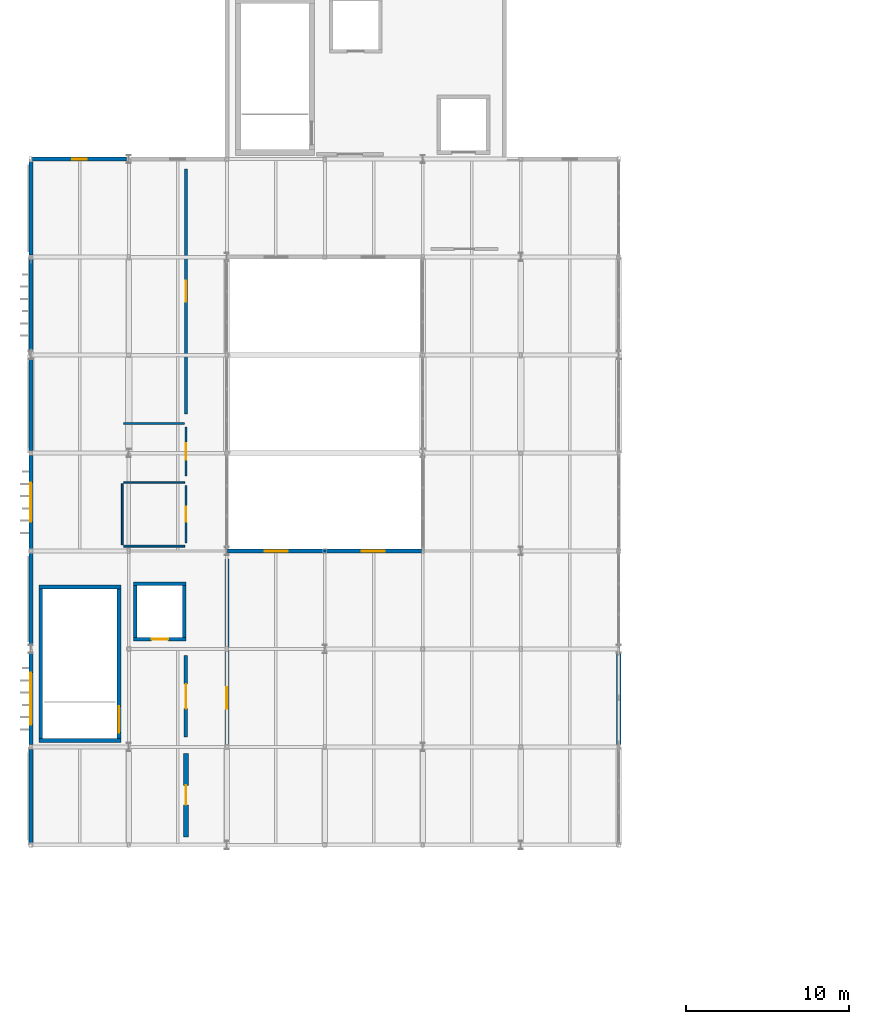
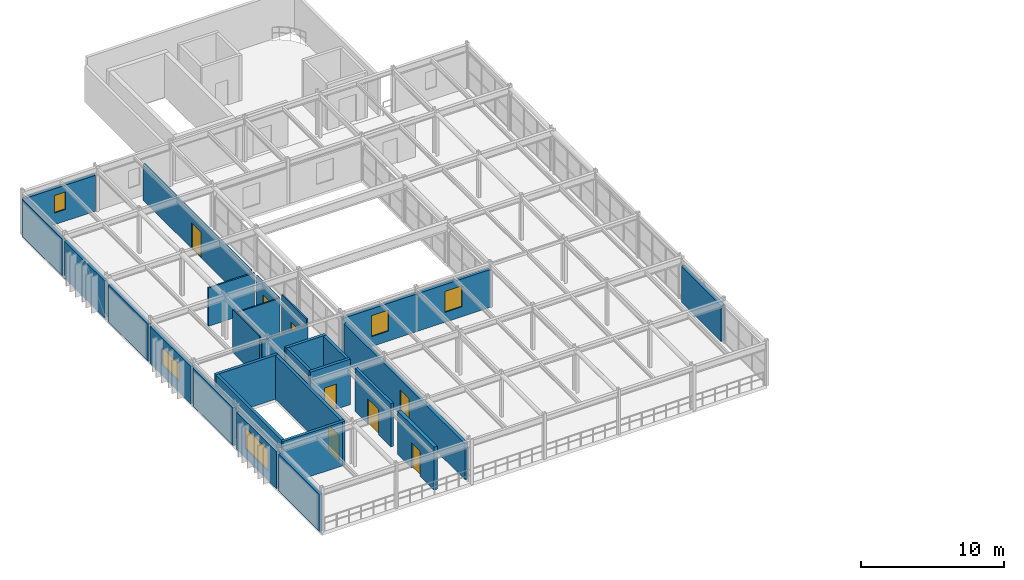
# One storey, part 47 of 63: 29 walls, 8 doors, 5 windows, 13 openings.
"""IFC4 building model written with IfcOpenShell, lengths in metres."""

import ifcopenshell
import ifcopenshell.guid

model = None  # the IFC model being written
_history = None  # IfcOwnerHistory: only IFC2X3 demands one
_inside = {}  # id of a spatial element -> (the spatial element, [elements in it])
_under = {}  # id of a project, library or spatial element -> (it, [spatial elements below it])
_declared = {}  # id of a project -> (the project, [libraries it declares])
_typed = {}  # id of a type object -> (the type object, [elements of that type])
_made_of = {}  # id of a material, layer set ... -> (it, [elements and type objects made of it])


def new_model(schema):
    """Start an empty IFC model of exactly this schema.

    Asked for "IFC4X3", IfcOpenShell would pick the latest addendum, in which some entities
    have other attributes; the version numbers below select the first issue.
    IFC2X3 requires an IfcOwnerHistory on every rooted entity: one is made here for all.
    """
    global model, _history
    if schema == "IFC4X3":
        model = ifcopenshell.file(schema_version=(4, 3, 0, 0))
    else:
        model = ifcopenshell.file(schema=schema)
    _inside.clear()
    _under.clear()
    _declared.clear()
    _typed.clear()
    _made_of.clear()
    _history = None
    if model.schema == "IFC2X3":
        org = make("IfcOrganization", Name="unknown")
        user = make(
            "IfcPersonAndOrganization",
            ThePerson=make("IfcPerson", FamilyName="unknown"),
            TheOrganization=org,
        )
        app = make(
            "IfcApplication",
            ApplicationDeveloper=org,
            Version="unknown",
            ApplicationFullName="unknown",
            ApplicationIdentifier="unknown",
        )
        _history = make(
            "IfcOwnerHistory",
            OwningUser=user,
            OwningApplication=app,
            ChangeAction="ADDED",
            CreationDate=0,
        )
    return model


def make(cls, **values):
    """One entity of the class cls with the attributes given. An attribute that is None is left unset."""
    return model.create_entity(
        cls, **{name: value for name, value in values.items() if value is not None}
    )


def rooted(cls, **values):
    """An entity with a GlobalId (a new one), such as an element, a storey or a relation."""
    return make(cls, GlobalId=ifcopenshell.guid.new(), OwnerHistory=_history, **values)


def si_unit(unit_type, name, prefix=None):
    """IfcSIUnit, for example si_unit("LENGTHUNIT", "METRE", prefix="MILLI")."""
    return make("IfcSIUnit", UnitType=unit_type, Prefix=prefix, Name=name)


def assignment(units):
    """IfcUnitAssignment: the units of a project."""
    return None if units is None else make("IfcUnitAssignment", Units=units)


def point(xyz):
    """IfcCartesianPoint."""
    return None if xyz is None else make("IfcCartesianPoint", Coordinates=xyz)


def direction(xyz):
    """IfcDirection."""
    return None if xyz is None else make("IfcDirection", DirectionRatios=xyz)


def frame(location, z_axis=None, x_axis=None):
    """IfcAxis2Placement3D, a coordinate frame: its origin and axes. An axis left out is left unset."""
    return make(
        "IfcAxis2Placement3D",
        Location=point(location),
        Axis=direction(z_axis),
        RefDirection=direction(x_axis),
    )


def frame_2d(location, x_axis=None):
    """IfcAxis2Placement2D, a coordinate frame in the plane: its origin and x axis."""
    return make(
        "IfcAxis2Placement2D", Location=point(location), RefDirection=direction(x_axis)
    )


def origin():
    """The frame at (0, 0, 0) with its axes left unset."""
    return frame((0.0, 0.0, 0.0))


def place(relative_to, where):
    """IfcLocalPlacement: puts the frame where relative to a parent placement (None: the world)."""
    return make(
        "IfcLocalPlacement", PlacementRelTo=relative_to, RelativePlacement=where
    )


def context(
    kind, dimensions, precision=None, world=None, true_north=None, identifier=None
):
    """IfcGeometricRepresentationContext, for example the 3D "Model" context."""
    return make(
        "IfcGeometricRepresentationContext",
        ContextIdentifier=identifier,
        ContextType=kind,
        CoordinateSpaceDimension=dimensions,
        Precision=precision,
        WorldCoordinateSystem=world,
        TrueNorth=true_north,
    )


def subcontext(parent, identifier, kind, view, scale=None):
    """IfcGeometricRepresentationSubContext, for example "Body" below "Model"."""
    return make(
        "IfcGeometricRepresentationSubContext",
        ContextIdentifier=identifier,
        ContextType=kind,
        ParentContext=parent,
        TargetScale=scale,
        TargetView=view,
    )


def project(units=None, contexts=None):
    """IfcProject with its units and contexts."""
    return rooted(
        "IfcProject",
        Name="project",
        RepresentationContexts=contexts,
        UnitsInContext=assignment(units),
    )


def spatial(cls, under=None, at=None, **own):
    """A site, building, storey or space (cls), placed at a placement, below another one or the project."""
    s = rooted(cls, ObjectPlacement=at, **own)
    if under is not None:
        _under.setdefault(under.id(), (under, []))[1].append(s)
    return s


def profile(cls, at=None, kind="AREA", **sizes):
    """A parametric profile (cls). Its sizes go by their IFC names, for example OverallWidth=200.0."""
    return make(cls, ProfileType=kind, Position=at, **sizes)


def rectangle(**sizes):
    """IfcRectangleProfileDef."""
    return profile("IfcRectangleProfileDef", **sizes)


def extrude(swept, where, along, depth):
    """IfcExtrudedAreaSolid: the profile swept, set in the frame where, extruded along a direction by depth."""
    return make(
        "IfcExtrudedAreaSolid",
        SweptArea=swept,
        Position=where,
        ExtrudedDirection=direction(along),
        Depth=depth,
    )


def shape(context_of_items, identifier, shape_type, items):
    """IfcShapeRepresentation: the items that make up one representation, for example the "Body"."""
    return make(
        "IfcShapeRepresentation",
        ContextOfItems=context_of_items,
        RepresentationIdentifier=identifier,
        RepresentationType=shape_type,
        Items=items,
    )


def material(Name=None, Category=None):
    """IfcMaterial."""
    return make("IfcMaterial", Name=Name, Category=Category)


def layer(
    of_material, thickness, ventilated=None, Name=None, Category=None, Priority=None
):
    """IfcMaterialLayer: one layer of a wall or slab, of a material (None: an air gap)."""
    return make(
        "IfcMaterialLayer",
        Material=of_material,
        LayerThickness=thickness,
        IsVentilated=ventilated,
        Name=Name,
        Category=Category,
        Priority=Priority,
    )


def layer_set(layers, Name=None):
    """IfcMaterialLayerSet."""
    return make("IfcMaterialLayerSet", MaterialLayers=layers, LayerSetName=Name)


def made_of(thing, what):
    """Note that an element or type object is made of a material, layer set ...; save() writes the relation."""
    if what is not None:
        _made_of.setdefault(what.id(), (what, []))[1].append(thing)
    return thing


def type_object(cls, material=None, **own):
    """A type object (cls), such as IfcWallType, which elements share."""
    return made_of(rooted(cls, **own), material)


def element(
    cls,
    number,
    at=None,
    inside=None,
    cuts=None,
    type_object=None,
    material=None,
    context=None,
    identifier="Body",
    shape_type=None,
    held_by="IfcProductDefinitionShape",
    body=None,
    shapes=None,
    **own,
):
    """One element of the class cls, such as IfcWall. Its Tag is "e" and its number.

    at: its placement. inside: the storey or other place that contains it. cuts: it is an
    opening in that element (IfcRelVoidsElement). A single representation is given by context,
    identifier, shape_type and body (its items); several are given by shapes. held_by: the class
    of the entity that holds the representations. save() writes the other relations.
    """
    e = rooted(cls, Tag="e%d" % number, ObjectPlacement=at, **own)
    if body is not None:
        shapes = [shape(context, identifier, shape_type, body)]
    if shapes is not None:
        e.Representation = make(held_by, Representations=shapes)
    if inside is not None:
        _inside.setdefault(inside.id(), (inside, []))[1].append(e)
    if cuts is not None:
        rooted(
            "IfcRelVoidsElement", RelatingBuildingElement=cuts, RelatedOpeningElement=e
        )
    if type_object is not None:
        _typed.setdefault(type_object.id(), (type_object, []))[1].append(e)
    return made_of(e, material)


def fill(opening, filler):
    """IfcRelFillsElement: the door or window that sits in an opening."""
    return rooted(
        "IfcRelFillsElement",
        RelatingOpeningElement=opening,
        RelatedBuildingElement=filler,
    )


def aggregate(whole, parts):
    """IfcRelAggregates: a whole, such as a stair, and the parts it consists of."""
    return rooted("IfcRelAggregates", RelatingObject=whole, RelatedObjects=parts)


def save(model, path):
    """Write the relations noted so far, then the file.

    IfcRelAggregates (storeys below a building ...), IfcRelContainedInSpatialStructure (elements
    in a storey), IfcRelDefinesByType, IfcRelAssociatesMaterial and IfcRelDeclares: one each for
    every whole, place, type object, material and project.
    """
    for whole, parts in _under.values():
        aggregate(whole, parts)
    for where, things in _inside.values():
        rooted(
            "IfcRelContainedInSpatialStructure",
            RelatedElements=things,
            RelatingStructure=where,
        )
    for kind, things in _typed.values():
        rooted("IfcRelDefinesByType", RelatedObjects=things, RelatingType=kind)
    for what, things in _made_of.values():
        rooted("IfcRelAssociatesMaterial", RelatedObjects=things, RelatingMaterial=what)
    for by, libraries in _declared.values():
        rooted("IfcRelDeclares", RelatingContext=by, RelatedDefinitions=libraries)
    model.write(path)


model = new_model("IFC4")

# Units and contexts
model_context = context("Model", 3, precision=1e-05, world=origin(), true_north=direction((0.0, 1.0)))
body_context = subcontext(model_context, "Body", "Model", "MODEL_VIEW")
ifc_project = project(units=[si_unit("LENGTHUNIT", "METRE"), si_unit("AREAUNIT", "SQUARE_METRE"), si_unit("VOLUMEUNIT", "CUBIC_METRE"), si_unit("PLANEANGLEUNIT", "RADIAN"), si_unit("MASSUNIT", "GRAM", prefix="KILO")], contexts=[model_context])

# Site, building, storey
site_placement = place(None, origin())
site = spatial("IfcSite", under=ifc_project, at=site_placement, CompositionType="ELEMENT")
building_placement = place(site_placement, origin())
building = spatial("IfcBuilding", under=site, at=building_placement, Name="Varnakota Square Police Headquarters", CompositionType="ELEMENT")
storey_placement = place(building_placement, frame((0.0, 0.0, 22.199951171875)))
storey = spatial("IfcBuildingStorey", under=building, at=storey_placement, Name="L05", CompositionType="ELEMENT", Elevation=22.199951171875)

# Wall
ifc_material_1 = material(Name="Concrete M40", Category="concrete")
ifc_layer_1 = layer(ifc_material_1, 0.22998046875, Name="Concrete M40")
ifc_layer_set_1 = layer_set([ifc_layer_1], Name="Concrete M40")
wall_type_1 = type_object("IfcWallType", Name="WL-CORE-230", PredefinedType="SHEAR", material=ifc_layer_set_1)
wall_1_placement = place(storey_placement, frame((6.485107421875, 27.39990234375, 0.0), z_axis=(0.0, 0.0, 1.0), x_axis=(1.0, 0.0, 0.0)))
element("IfcWall", 1, at=wall_1_placement, inside=storey, type_object=wall_type_1, Name="Core C4 shear wall L05 S", PredefinedType="SHEAR", context=body_context, shape_type="SweptSolid", body=[
    extrude(rectangle(XDim=5.02978515625, YDim=0.22998046875, at=frame_2d((2.514892578125, 0.0))), origin(), (0.0, 0.0, 1.0), 3.760009765625),
])

# Wall, opening, door
wall_2_placement = place(storey_placement, frame((11.39990234375, 27.284912109375, 0.0), z_axis=(0.0, 0.0, 1.0), x_axis=(0.0, 1.0, 0.0)))
wall_2 = element("IfcWall", 2, at=wall_2_placement, inside=storey, type_object=wall_type_1, Name="Core C4 shear wall L05 E", PredefinedType="SHEAR", context=body_context, shape_type="SweptSolid", body=[
    extrude(rectangle(XDim=9.630126953125, YDim=0.22998046875, at=frame_2d((4.81494140625, 0.0))), origin(), (0.0, 0.0, 1.0), 3.760009765625),
])
opening_1_placement = place(wall_2_placement, frame((0.594970703125, 0.0, 0.0)))
opening_1 = element("IfcOpeningElement", 3, at=opening_1_placement, cuts=wall_2, Name="Opening SD070", PredefinedType="OPENING", context=body_context, shape_type="SweptSolid", body=[
    extrude(rectangle(XDim=1.60009765625, YDim=2.199951171875, at=frame_2d((0.800048828125, 1.10009765625))), frame((0.0, 0.125, 0.0), z_axis=(0.0, -1.0, 0.0), x_axis=(1.0, 0.0, 0.0)), (0.0, 0.0, 1.0), 0.25),
])
ifc_material_2 = material(Name="Powder-Coated Galvanised Steel", Category="steel")
door_type_1 = type_object("IfcDoorType", Name="DR-ST-160", OperationType="NOTDEFINED", PredefinedType="DOOR", material=ifc_material_2)
door_1_placement = place(opening_1_placement, origin())
door_1 = element("IfcDoor", 4, at=door_1_placement, inside=storey, type_object=door_type_1, Name="Protected stair door SD070", OperationType="DOUBLE_DOOR_SINGLE_SWING", OverallHeight=2.199951171875, OverallWidth=1.60009765625, PredefinedType="DOOR", context=body_context, shape_type="SweptSolid", body=[
    extrude(rectangle(XDim=1.60009765625, YDim=2.199951171875, at=frame_2d((0.800048828125, 1.10009765625))), frame((0.0, 0.02490234375, 0.0), z_axis=(0.0, -1.0, 0.0), x_axis=(1.0, 0.0, 0.0)), (0.0, 0.0, 1.0), 0.050048828125),
])
fill(opening_1, door_1)

# Walls
wall_3_placement = place(storey_placement, frame((11.514892578125, 36.800048828125, 0.0), z_axis=(0.0, 0.0, 1.0), x_axis=(-1.0, 0.0, 0.0)))
element("IfcWall", 5, at=wall_3_placement, inside=storey, type_object=wall_type_1, Name="Core C4 shear wall L05 N", PredefinedType="SHEAR", context=body_context, shape_type="SweptSolid", body=[
    extrude(rectangle(XDim=5.02978515625, YDim=0.22998046875, at=frame_2d((2.514892578125, 0.0))), origin(), (0.0, 0.0, 1.0), 3.760009765625),
])
wall_4_placement = place(storey_placement, frame((6.60009765625, 36.9150390625, 0.0), z_axis=(0.0, 0.0, 1.0), x_axis=(0.0, -1.0, 0.0)))
element("IfcWall", 6, at=wall_4_placement, inside=storey, type_object=wall_type_1, Name="Core C4 shear wall L05 W", PredefinedType="SHEAR", context=body_context, shape_type="SweptSolid", body=[
    extrude(rectangle(XDim=9.630126953125, YDim=0.22998046875, at=frame_2d((4.81494140625, 0.0))), origin(), (0.0, 0.0, 1.0), 3.760009765625),
])

# Wall, opening, door
wall_5_placement = place(storey_placement, frame((12.284912109375, 33.60009765625, 0.0), z_axis=(0.0, 0.0, 1.0), x_axis=(1.0, 0.0, 0.0)))
wall_5 = element("IfcWall", 7, at=wall_5_placement, inside=storey, type_object=wall_type_1, Name="Lift shaft wall LF-P2 L05 S", PredefinedType="SHEAR", context=body_context, shape_type="SweptSolid", body=[
    extrude(rectangle(XDim=3.22998046875, YDim=0.22998046875, at=frame_2d((1.614990234375, 0.0))), origin(), (0.0, 0.0, 1.0), 3.900146484375),
])
opening_2_placement = place(wall_5_placement, frame((1.114990234375, 0.0, 0.0)))
opening_2 = element("IfcOpeningElement", 8, at=opening_2_placement, cuts=wall_5, Name="Opening LD030", PredefinedType="OPENING", context=body_context, shape_type="SweptSolid", body=[
    extrude(rectangle(XDim=1.0, YDim=2.14990234375, at=frame_2d((0.5, 1.074951171875))), frame((0.0, 0.125, 0.0), z_axis=(0.0, -1.0, 0.0), x_axis=(1.0, 0.0, 0.0)), (0.0, 0.0, 1.0), 0.25),
])
ifc_material_3 = material(Name="Brushed Grade 316 Stainless Steel", Category="steel")
door_type_2 = type_object("IfcDoorType", Name="DR-LD-PAX", OperationType="NOTDEFINED", PredefinedType="DOOR", material=ifc_material_3)
door_2_placement = place(opening_2_placement, origin())
door_2 = element("IfcDoor", 9, at=door_2_placement, inside=storey, type_object=door_type_2, Name="Lift sliding landing door LD030", OperationType="SLIDING_TO_LEFT", OverallHeight=2.14990234375, OverallWidth=1.0, PredefinedType="DOOR", context=body_context, shape_type="SweptSolid", body=[
    extrude(rectangle(XDim=1.0, YDim=2.14990234375, at=frame_2d((0.5, 1.074951171875))), frame((0.0, 0.02490234375, 0.0), z_axis=(0.0, -1.0, 0.0), x_axis=(1.0, 0.0, 0.0)), (0.0, 0.0, 1.0), 0.050048828125),
])
fill(opening_2, door_2)

# Walls
wall_6_placement = place(storey_placement, frame((15.39990234375, 33.485107421875, 0.0), z_axis=(0.0, 0.0, 1.0), x_axis=(0.0, 1.0, 0.0)))
element("IfcWall", 10, at=wall_6_placement, inside=storey, type_object=wall_type_1, Name="Lift shaft wall LF-P2 L05 E", PredefinedType="SHEAR", context=body_context, shape_type="SweptSolid", body=[
    extrude(rectangle(XDim=3.6298828125, YDim=0.22998046875, at=frame_2d((1.81494140625, 0.0))), origin(), (0.0, 0.0, 1.0), 3.900146484375),
])
wall_7_placement = place(storey_placement, frame((15.514892578125, 37.0, 0.0), z_axis=(0.0, 0.0, 1.0), x_axis=(-1.0, 0.0, 0.0)))
element("IfcWall", 11, at=wall_7_placement, inside=storey, type_object=wall_type_1, Name="Lift shaft wall LF-P2 L05 N", PredefinedType="SHEAR", context=body_context, shape_type="SweptSolid", body=[
    extrude(rectangle(XDim=3.22998046875, YDim=0.22998046875, at=frame_2d((1.614990234375, 0.0))), origin(), (0.0, 0.0, 1.0), 3.900146484375),
])
wall_8_placement = place(storey_placement, frame((12.39990234375, 37.114990234375, 0.0), z_axis=(0.0, 0.0, 1.0), x_axis=(0.0, -1.0, 0.0)))
element("IfcWall", 12, at=wall_8_placement, inside=storey, type_object=wall_type_1, Name="Lift shaft wall LF-P2 L05 W", PredefinedType="SHEAR", context=body_context, shape_type="SweptSolid", body=[
    extrude(rectangle(XDim=3.6298828125, YDim=0.22998046875, at=frame_2d((1.81494140625, 0.0))), origin(), (0.0, 0.0, 1.0), 3.900146484375),
])
ifc_layer_2 = layer(ifc_material_1, 0.239990234375, Name="Concrete M40")
ifc_layer_set_2 = layer_set([ifc_layer_2], Name="Concrete M40")
wall_type_2 = type_object("IfcWallType", Name="WL-EXT-240", PredefinedType="SOLIDWALL", material=ifc_layer_set_2)
wall_9_placement = place(storey_placement, frame((6.0, 21.12890625, 0.0), z_axis=(0.0, 0.0, 1.0), x_axis=(0.0, 1.0, 0.0)))
element("IfcWall", 13, at=wall_9_placement, inside=storey, type_object=wall_type_2, Name="Exterior wall EW-L05-0455", PredefinedType="SOLIDWALL", context=body_context, shape_type="SweptSolid", body=[
    extrude(rectangle(XDim=5.717041015625, YDim=0.239990234375, at=frame_2d((2.8583984375, 0.0))), origin(), (0.0, 0.0, 1.0), 3.179931640625),
])

# Wall, opening, window
wall_10_placement = place(storey_placement, frame((6.0, 27.154052734375, 0.0), z_axis=(0.0, 0.0, 1.0), x_axis=(0.0, 1.0, 0.0)))
wall_10 = element("IfcWall", 14, at=wall_10_placement, inside=storey, type_object=wall_type_2, Name="Exterior wall EW-L05-0456", PredefinedType="SOLIDWALL", context=body_context, shape_type="SweptSolid", body=[
    extrude(rectangle(XDim=5.592041015625, YDim=0.239990234375, at=frame_2d((2.7958984375, 0.0))), origin(), (0.0, 0.0, 1.0), 3.179931640625),
])
opening_3_placement = place(wall_10_placement, frame((1.196044921875, 0.0, 0.800048828125)))
opening_3 = element("IfcOpeningElement", 15, at=opening_3_placement, cuts=wall_10, Name="Opening W15", PredefinedType="OPENING", context=body_context, shape_type="SweptSolid", body=[
    extrude(rectangle(XDim=3.199951171875, YDim=1.800048828125, at=frame_2d((1.60009765625, 0.89990234375))), frame((0.0, 0.1298828125, 0.0), z_axis=(0.0, -1.0, 0.0), x_axis=(1.0, 0.0, 0.0)), (0.0, 0.0, 1.0), 0.260009765625),
])
ifc_material_4 = material(Name="Thermally Broken Aluminium Double-Glazed Window", Category="aluminium")
window_type_1 = type_object("IfcWindowType", Name="WIN-15", PartitioningType="SINGLE_PANEL", PredefinedType="WINDOW", material=ifc_material_4)
window_1_placement = place(opening_3_placement, origin())
window_1 = element("IfcWindow", 16, at=window_1_placement, inside=storey, type_object=window_type_1, Name="Window WN-L05-0106", OverallHeight=1.800048828125, OverallWidth=3.199951171875, PartitioningType="SINGLE_PANEL", PredefinedType="WINDOW", context=body_context, shape_type="SweptSolid", body=[
    extrude(rectangle(XDim=3.199951171875, YDim=1.800048828125, at=frame_2d((1.60009765625, 0.89990234375))), frame((0.0, 0.030029296875, 0.0), z_axis=(0.0, -1.0, 0.0), x_axis=(1.0, 0.0, 0.0)), (0.0, 0.0, 1.0), 0.06005859375),
])
fill(opening_3, window_1)

# Wall
wall_11_placement = place(storey_placement, frame((6.0, 33.25390625, 0.0), z_axis=(0.0, 0.0, 1.0), x_axis=(0.0, 1.0, 0.0)))
element("IfcWall", 17, at=wall_11_placement, inside=storey, type_object=wall_type_2, Name="Exterior wall EW-L05-0458", PredefinedType="SOLIDWALL", context=body_context, shape_type="SweptSolid", body=[
    extrude(rectangle(XDim=5.6171875, YDim=0.239990234375, at=frame_2d((2.80859375, 0.0))), origin(), (0.0, 0.0, 1.0), 3.22998046875),
])

# Wall, opening, window
wall_12_placement = place(storey_placement, frame((6.0, 39.12890625, 0.0), z_axis=(0.0, 0.0, 1.0), x_axis=(0.0, 1.0, 0.0)))
wall_12 = element("IfcWall", 18, at=wall_12_placement, inside=storey, type_object=wall_type_2, Name="Exterior wall EW-L05-0459", PredefinedType="SOLIDWALL", context=body_context, shape_type="SweptSolid", body=[
    extrude(rectangle(XDim=5.717041015625, YDim=0.239990234375, at=frame_2d((2.8583984375, 0.0))), origin(), (0.0, 0.0, 1.0), 3.179931640625),
])
opening_4_placement = place(wall_12_placement, frame((1.658447265625, 0.0, 0.89990234375)))
opening_4 = element("IfcOpeningElement", 19, at=opening_4_placement, cuts=wall_12, Name="Opening W02", PredefinedType="OPENING", context=body_context, shape_type="SweptSolid", body=[
    extrude(rectangle(XDim=2.39990234375, YDim=1.5, at=frame_2d((1.199951171875, 0.75))), frame((0.0, 0.1298828125, 0.0), z_axis=(0.0, -1.0, 0.0), x_axis=(1.0, 0.0, 0.0)), (0.0, 0.0, 1.0), 0.260009765625),
])
window_type_2 = type_object("IfcWindowType", Name="WIN-02", PartitioningType="SINGLE_PANEL", PredefinedType="WINDOW", material=ifc_material_4)
window_2_placement = place(opening_4_placement, origin())
window_2 = element("IfcWindow", 20, at=window_2_placement, inside=storey, type_object=window_type_2, Name="Window WN-L05-0107", OverallHeight=1.5, OverallWidth=2.39990234375, PartitioningType="SINGLE_PANEL", PredefinedType="WINDOW", context=body_context, shape_type="SweptSolid", body=[
    extrude(rectangle(XDim=2.39990234375, YDim=1.5, at=frame_2d((1.199951171875, 0.75))), frame((0.0, 0.030029296875, 0.0), z_axis=(0.0, -1.0, 0.0), x_axis=(1.0, 0.0, 0.0)), (0.0, 0.0, 1.0), 0.06005859375),
])
fill(opening_4, window_2)

# Walls
wall_13_placement = place(storey_placement, frame((6.0, 45.154052734375, 0.0), z_axis=(0.0, 0.0, 1.0), x_axis=(0.0, 1.0, 0.0)))
element("IfcWall", 21, at=wall_13_placement, inside=storey, type_object=wall_type_2, Name="Exterior wall EW-L05-0460", PredefinedType="SOLIDWALL", context=body_context, shape_type="SweptSolid", body=[
    extrude(rectangle(XDim=5.592041015625, YDim=0.239990234375, at=frame_2d((2.7958984375, 0.0))), origin(), (0.0, 0.0, 1.0), 3.179931640625),
])
wall_14_placement = place(storey_placement, frame((6.0, 51.25390625, 0.0), z_axis=(0.0, 0.0, 1.0), x_axis=(0.0, 1.0, 0.0)))
element("IfcWall", 22, at=wall_14_placement, inside=storey, type_object=wall_type_2, Name="Exterior wall EW-L05-0461", PredefinedType="SOLIDWALL", context=body_context, shape_type="SweptSolid", body=[
    extrude(rectangle(XDim=5.6171875, YDim=0.239990234375, at=frame_2d((2.80859375, 0.0))), origin(), (0.0, 0.0, 1.0), 3.179931640625),
])
wall_15_placement = place(storey_placement, frame((6.0, 57.12890625, 0.0), z_axis=(0.0, 0.0, 1.0), x_axis=(0.0, 1.0, 0.0)))
element("IfcWall", 23, at=wall_15_placement, inside=storey, type_object=wall_type_2, Name="Exterior wall EW-L05-0462", PredefinedType="SOLIDWALL", context=body_context, shape_type="SweptSolid", body=[
    extrude(rectangle(XDim=5.717041015625, YDim=0.239990234375, at=frame_2d((2.8583984375, 0.0))), origin(), (0.0, 0.0, 1.0), 3.179931640625),
])

# Wall, opening, window
wall_16_placement = place(storey_placement, frame((6.10400390625, 63.0, 0.0), z_axis=(0.0, 0.0, 1.0), x_axis=(1.0, 0.0, 0.0)))
wall_16 = element("IfcWall", 24, at=wall_16_placement, inside=storey, type_object=wall_type_2, Name="Exterior wall EW-L05-0463", PredefinedType="SOLIDWALL", context=body_context, shape_type="SweptSolid", body=[
    extrude(rectangle(XDim=5.76708984375, YDim=0.239990234375, at=frame_2d((2.883544921875, 0.0))), origin(), (0.0, 0.0, 1.0), 3.080078125),
])
opening_5_placement = place(wall_16_placement, frame((2.43359375, 0.0, 1.0)))
opening_5 = element("IfcOpeningElement", 25, at=opening_5_placement, cuts=wall_16, Name="Opening W09", PredefinedType="OPENING", context=body_context, shape_type="SweptSolid", body=[
    extrude(rectangle(XDim=0.89990234375, YDim=1.5, at=frame_2d((0.449951171875, 0.75))), frame((0.0, 0.1298828125, 0.0), z_axis=(0.0, -1.0, 0.0), x_axis=(1.0, 0.0, 0.0)), (0.0, 0.0, 1.0), 0.260009765625),
])
window_type_3 = type_object("IfcWindowType", Name="WIN-09", PartitioningType="SINGLE_PANEL", PredefinedType="WINDOW", material=ifc_material_4)
window_3_placement = place(opening_5_placement, origin())
window_3 = element("IfcWindow", 26, at=window_3_placement, inside=storey, type_object=window_type_3, Name="Window WN-L05-0108", OverallHeight=1.5, OverallWidth=0.89990234375, PartitioningType="SINGLE_PANEL", PredefinedType="WINDOW", context=body_context, shape_type="SweptSolid", body=[
    extrude(rectangle(XDim=0.89990234375, YDim=1.5, at=frame_2d((0.449951171875, 0.75))), frame((0.0, 0.030029296875, 0.0), z_axis=(0.0, -1.0, 0.0), x_axis=(1.0, 0.0, 0.0)), (0.0, 0.0, 1.0), 0.06005859375),
])
fill(opening_5, window_3)

wall_17_placement = place(storey_placement, frame((18.050048828125, 39.0, 0.0), z_axis=(0.0, 0.0, 1.0), x_axis=(1.0, 0.0, 0.0)))
wall_17 = element("IfcWall", 27, at=wall_17_placement, inside=storey, type_object=wall_type_2, Name="Court exterior wall EW-L05-0466", PredefinedType="SOLIDWALL", context=body_context, shape_type="SweptSolid", body=[
    extrude(rectangle(XDim=5.949951171875, YDim=0.239990234375, at=frame_2d((2.97509765625, 0.0))), origin(), (0.0, 0.0, 1.0), 3.22998046875),
])
opening_6_placement = place(wall_17_placement, frame((2.27490234375, 0.0, 0.85009765625)))
opening_6 = element("IfcOpeningElement", 28, at=opening_6_placement, cuts=wall_17, Name="Opening W16", PredefinedType="OPENING", context=body_context, shape_type="SweptSolid", body=[
    extrude(rectangle(XDim=1.39990234375, YDim=1.800048828125, at=frame_2d((0.699951171875, 0.89990234375))), frame((0.0, 0.1298828125, 0.0), z_axis=(0.0, -1.0, 0.0), x_axis=(1.0, 0.0, 0.0)), (0.0, 0.0, 1.0), 0.260009765625),
])
window_type_4 = type_object("IfcWindowType", Name="WIN-16", PartitioningType="SINGLE_PANEL", PredefinedType="WINDOW", material=ifc_material_4)
window_4_placement = place(opening_6_placement, origin())
window_4 = element("IfcWindow", 29, at=window_4_placement, inside=storey, type_object=window_type_4, Name="Window WN-L05-0111", OverallHeight=1.800048828125, OverallWidth=1.39990234375, PartitioningType="SINGLE_PANEL", PredefinedType="WINDOW", context=body_context, shape_type="SweptSolid", body=[
    extrude(rectangle(XDim=1.39990234375, YDim=1.800048828125, at=frame_2d((0.699951171875, 0.89990234375))), frame((0.0, 0.030029296875, 0.0), z_axis=(0.0, -1.0, 0.0), x_axis=(1.0, 0.0, 0.0)), (0.0, 0.0, 1.0), 0.06005859375),
])
fill(opening_6, window_4)

wall_18_placement = place(storey_placement, frame((24.0, 39.0, 0.0), z_axis=(0.0, 0.0, 1.0), x_axis=(1.0, 0.0, 0.0)))
wall_18 = element("IfcWall", 30, at=wall_18_placement, inside=storey, type_object=wall_type_2, Name="Court exterior wall EW-L05-0468", PredefinedType="SOLIDWALL", context=body_context, shape_type="SweptSolid", body=[
    extrude(rectangle(XDim=5.949951171875, YDim=0.239990234375, at=frame_2d((2.97509765625, 0.0))), origin(), (0.0, 0.0, 1.0), 3.22998046875),
])
opening_7_placement = place(wall_18_placement, frame((2.27490234375, 0.0, 0.85009765625)))
opening_7 = element("IfcOpeningElement", 31, at=opening_7_placement, cuts=wall_18, Name="Opening W16", PredefinedType="OPENING", context=body_context, shape_type="SweptSolid", body=[
    extrude(rectangle(XDim=1.39990234375, YDim=1.800048828125, at=frame_2d((0.699951171875, 0.89990234375))), frame((0.0, 0.1298828125, 0.0), z_axis=(0.0, -1.0, 0.0), x_axis=(1.0, 0.0, 0.0)), (0.0, 0.0, 1.0), 0.260009765625),
])
window_5_placement = place(opening_7_placement, origin())
window_5 = element("IfcWindow", 32, at=window_5_placement, inside=storey, type_object=window_type_4, Name="Window WN-L05-0113", OverallHeight=1.800048828125, OverallWidth=1.39990234375, PartitioningType="SINGLE_PANEL", PredefinedType="WINDOW", context=body_context, shape_type="SweptSolid", body=[
    extrude(rectangle(XDim=1.39990234375, YDim=1.800048828125, at=frame_2d((0.699951171875, 0.89990234375))), frame((0.0, 0.030029296875, 0.0), z_axis=(0.0, -1.0, 0.0), x_axis=(1.0, 0.0, 0.0)), (0.0, 0.0, 1.0), 0.06005859375),
])
fill(opening_7, window_5)

# Walls
ifc_layer_3 = layer(ifc_material_1, 0.280029296875, Name="Concrete M40")
ifc_layer_set_3 = layer_set([ifc_layer_3], Name="Concrete M40")
wall_type_3 = type_object("IfcWallType", Name="WL-EXT-280", PredefinedType="SOLIDWALL", material=ifc_layer_set_3)
wall_19_placement = place(storey_placement, frame((42.0, 27.154052734375, 0.0), z_axis=(0.0, 0.0, 1.0), x_axis=(0.0, 1.0, 0.0)))
element("IfcWall", 33, at=wall_19_placement, inside=storey, type_object=wall_type_3, Name="Exterior wall EW-L05-0457", PredefinedType="SOLIDWALL", context=body_context, shape_type="SweptSolid", body=[
    extrude(rectangle(XDim=5.592041015625, YDim=0.280029296875, at=frame_2d((2.7958984375, 0.0))), origin(), (0.0, 0.0, 1.0), 3.080078125),
])
ifc_material_5 = material(Name="Lightweight Demountable Office Partition", Category="gypsum")
ifc_layer_4 = layer(ifc_material_5, 0.094970703125, Name="Lightweight Demountable Office Partition")
ifc_layer_set_4 = layer_set([ifc_layer_4], Name="Lightweight Demountable Office Partition")
wall_type_4 = type_object("IfcWallType", Name="WL-PRT-095", PredefinedType="PARTITIONING", material=ifc_layer_set_4)
wall_20_placement = place(storey_placement, frame((11.679931640625, 43.199951171875, 0.0), z_axis=(0.0, 0.0, 1.0), x_axis=(1.0, 0.0, 0.0)))
element("IfcWall", 34, at=wall_20_placement, inside=storey, type_object=wall_type_4, Name="Interior dividing partition PW-L05-0243 (L05 Forensic Staff Washroom WC)", PredefinedType="PARTITIONING", context=body_context, shape_type="SweptSolid", body=[
    extrude(rectangle(XDim=3.739990234375, YDim=0.094970703125, at=frame_2d((1.8701171875, 0.0))), origin(), (0.0, 0.0, 1.0), 3.280029296875),
])

# Wall, opening, door
ifc_material_6 = material(Name="Glazed Clean-Lab Modular Partition", Category="gypsum")
ifc_layer_5 = layer(ifc_material_6, 0.10498046875, Name="Glazed Clean-Lab Modular Partition")
ifc_layer_set_5 = layer_set([ifc_layer_5], Name="Glazed Clean-Lab Modular Partition")
wall_type_5 = type_object("IfcWallType", Name="WL-PRT-105", PredefinedType="PARTITIONING", material=ifc_layer_set_5)
wall_21_placement = place(storey_placement, frame((15.5, 43.0, 0.0), z_axis=(0.0, 0.0, 1.0), x_axis=(0.0, -1.0, 0.0)))
wall_21 = element("IfcWall", 35, at=wall_21_placement, inside=storey, type_object=wall_type_5, Name="Interior partition PW-L05-0222 (L05 Forensic Staff Washroom WC)", PredefinedType="PARTITIONING", context=body_context, shape_type="SweptSolid", body=[
    extrude(rectangle(XDim=3.5, YDim=0.10498046875, at=frame_2d((1.75, 0.0))), origin(), (0.0, 0.0, 1.0), 3.679931640625),
])
opening_8_placement = place(wall_21_placement, frame((1.300048828125, 0.0, 0.0)))
opening_8 = element("IfcOpeningElement", 36, at=opening_8_placement, cuts=wall_21, Name="Opening D276", PredefinedType="OPENING", context=body_context, shape_type="SweptSolid", body=[
    extrude(rectangle(XDim=0.89990234375, YDim=2.10009765625, at=frame_2d((0.449951171875, 1.050048828125))), frame((0.0, 0.0625, 0.0), z_axis=(0.0, -1.0, 0.0), x_axis=(1.0, 0.0, 0.0)), (0.0, 0.0, 1.0), 0.125),
])
ifc_material_7 = material(Name="High-Pressure Moisture-Resistant Compact Laminate")
door_type_3 = type_object("IfcDoorType", Name="DR-WC-090", OperationType="NOTDEFINED", PredefinedType="DOOR", material=ifc_material_7)
door_3_placement = place(opening_8_placement, origin())
door_3 = element("IfcDoor", 37, at=door_3_placement, inside=storey, type_object=door_type_3, Name="Room door D276 (L05 Forensic Staff Washroom WC)", OperationType="SINGLE_SWING_LEFT", OverallHeight=2.10009765625, OverallWidth=0.89990234375, PredefinedType="DOOR", context=body_context, shape_type="SweptSolid", body=[
    extrude(rectangle(XDim=0.89990234375, YDim=2.10009765625, at=frame_2d((0.449951171875, 1.050048828125))), frame((0.0, 0.02490234375, 0.0), z_axis=(0.0, -1.0, 0.0), x_axis=(1.0, 0.0, 0.0)), (0.0, 0.0, 1.0), 0.050048828125),
])
fill(opening_8, door_3)

# Walls
wall_22_placement = place(storey_placement, frame((11.60009765625, 39.3798828125, 0.0), z_axis=(0.0, 0.0, 1.0), x_axis=(0.0, 1.0, 0.0)))
element("IfcWall", 38, at=wall_22_placement, inside=storey, type_object=wall_type_5, Name="Interior dividing partition PW-L05-0242 (L05 Forensic Staff Washroom WC)", PredefinedType="PARTITIONING", context=body_context, shape_type="SweptSolid", body=[
    extrude(rectangle(XDim=3.740234375, YDim=0.10498046875, at=frame_2d((1.8701171875, 0.0))), origin(), (0.0, 0.0, 1.0), 3.679931640625),
])
ifc_material_8 = material(Name="Moisture-Resistant Tile-Backed Partition", Category="gypsum")
ifc_layer_6 = layer(ifc_material_8, 0.114990234375, Name="Moisture-Resistant Tile-Backed Partition")
ifc_layer_set_6 = layer_set([ifc_layer_6], Name="Moisture-Resistant Tile-Backed Partition")
wall_type_6 = type_object("IfcWallType", Name="WL-PRT-115", PredefinedType="PARTITIONING", material=ifc_layer_set_6)
wall_23_placement = place(storey_placement, frame((15.419921875, 39.300048828125, 0.0), z_axis=(0.0, 0.0, 1.0), x_axis=(-1.0, 0.0, 0.0)))
element("IfcWall", 39, at=wall_23_placement, inside=storey, type_object=wall_type_6, Name="Interior dividing partition PW-L05-0241 (L05 Forensic Staff Washroom WC)", PredefinedType="PARTITIONING", context=body_context, shape_type="SweptSolid", body=[
    extrude(rectangle(XDim=3.739990234375, YDim=0.114990234375, at=frame_2d((1.8701171875, 0.0))), origin(), (0.0, 0.0, 1.0), 3.280029296875),
])
ifc_material_9 = material(Name="Acoustic Insulated Metal-Stud Partition", Category="gypsum")
ifc_layer_7 = layer(ifc_material_9, 0.125, Name="Acoustic Insulated Metal-Stud Partition")
ifc_layer_set_7 = layer_set([ifc_layer_7], Name="Acoustic Insulated Metal-Stud Partition")
wall_type_7 = type_object("IfcWallType", Name="WL-PRT-125", PredefinedType="PARTITIONING", material=ifc_layer_set_7)
wall_24_placement = place(storey_placement, frame((11.679931640625, 46.800048828125, 0.0), z_axis=(0.0, 0.0, 1.0), x_axis=(1.0, 0.0, 0.0)))
element("IfcWall", 40, at=wall_24_placement, inside=storey, type_object=wall_type_7, Name="Interior dividing partition PW-L05-0244 (L05 Accessible WC West)", PredefinedType="PARTITIONING", context=body_context, shape_type="SweptSolid", body=[
    extrude(rectangle(XDim=3.739990234375, YDim=0.125, at=frame_2d((1.8701171875, 0.0))), origin(), (0.0, 0.0, 1.0), 3.273681640625),
])

# Wall, opening, door
ifc_layer_8 = layer(ifc_material_9, 0.139892578125, Name="Acoustic Insulated Metal-Stud Partition")
ifc_layer_set_8 = layer_set([ifc_layer_8], Name="Acoustic Insulated Metal-Stud Partition")
wall_type_8 = type_object("IfcWallType", Name="WL-PRT-140", PredefinedType="PARTITIONING", material=ifc_layer_set_8)
wall_25_placement = place(storey_placement, frame((15.5, 46.60009765625, 0.0), z_axis=(0.0, 0.0, 1.0), x_axis=(0.0, -1.0, 0.0)))
wall_25 = element("IfcWall", 41, at=wall_25_placement, inside=storey, type_object=wall_type_8, Name="Interior partition PW-L05-0223 (L05 Accessible WC West)", PredefinedType="PARTITIONING", context=body_context, shape_type="SweptSolid", body=[
    extrude(rectangle(XDim=3.0, YDim=0.139892578125, at=frame_2d((1.5, 0.0))), origin(), (0.0, 0.0, 1.0), 3.080078125),
])
opening_9_placement = place(wall_25_placement, frame((1.0, 0.0, 0.0)))
opening_9 = element("IfcOpeningElement", 42, at=opening_9_placement, cuts=wall_25, Name="Opening D277", PredefinedType="OPENING", context=body_context, shape_type="SweptSolid", body=[
    extrude(rectangle(XDim=1.0, YDim=2.10009765625, at=frame_2d((0.5, 1.050048828125))), frame((0.0, 0.079833984375, 0.0), z_axis=(0.0, -1.0, 0.0), x_axis=(1.0, 0.0, 0.0)), (0.0, 0.0, 1.0), 0.159912109375),
])
ifc_material_10 = material(Name="Antimicrobial High-Pressure Compact Laminate")
door_type_4 = type_object("IfcDoorType", Name="DR-WCA-100", OperationType="NOTDEFINED", PredefinedType="DOOR", material=ifc_material_10)
door_4_placement = place(opening_9_placement, origin())
door_4 = element("IfcDoor", 43, at=door_4_placement, inside=storey, type_object=door_type_4, Name="Room door D277 (L05 Accessible WC West)", OperationType="SINGLE_SWING_RIGHT", OverallHeight=2.10009765625, OverallWidth=1.0, PredefinedType="DOOR", context=body_context, shape_type="SweptSolid", body=[
    extrude(rectangle(XDim=1.0, YDim=2.10009765625, at=frame_2d((0.5, 1.050048828125))), frame((0.0, 0.02490234375, 0.0), z_axis=(0.0, -1.0, 0.0), x_axis=(1.0, 0.0, 0.0)), (0.0, 0.0, 1.0), 0.050048828125),
])
fill(opening_9, door_4)

ifc_material_11 = material(Name="Fire-Rated Double Gypsum Stud Partition", Category="gypsum")
ifc_layer_9 = layer(ifc_material_11, 0.1650390625, Name="Fire-Rated Double Gypsum Stud Partition")
ifc_layer_set_9 = layer_set([ifc_layer_9], Name="Fire-Rated Double Gypsum Stud Partition")
wall_type_9 = type_object("IfcWallType", Name="WL-PRT-165F", PredefinedType="PARTITIONING", material=ifc_layer_set_9)
wall_26_placement = place(storey_placement, frame((15.5, 62.39990234375, 0.0), z_axis=(0.0, 0.0, 1.0), x_axis=(0.0, -1.0, 0.0)))
wall_26 = element("IfcWall", 44, at=wall_26_placement, inside=storey, type_object=wall_type_9, Name="Interior partition PW-L05-0226 (PCR Amplification Clean Laboratory)", PredefinedType="PARTITIONING", context=body_context, shape_type="SweptSolid", body=[
    extrude(rectangle(XDim=15.0, YDim=0.1650390625, at=frame_2d((7.5, 0.0))), origin(), (0.0, 0.0, 1.0), 3.080078125),
])
opening_10_placement = place(wall_26_placement, frame((6.85009765625, 0.0, 0.0)))
opening_10 = element("IfcOpeningElement", 45, at=opening_10_placement, cuts=wall_26, Name="Opening D280", PredefinedType="OPENING", context=body_context, shape_type="SweptSolid", body=[
    extrude(rectangle(XDim=1.300048828125, YDim=2.199951171875, at=frame_2d((0.64990234375, 1.10009765625))), frame((0.0, 0.092529296875, 0.0), z_axis=(0.0, -1.0, 0.0), x_axis=(1.0, 0.0, 0.0)), (0.0, 0.0, 1.0), 0.18505859375),
])
ifc_material_12 = material(Name="Epoxy-Coated Hermetic Galvanised Steel", Category="steel")
door_type_5 = type_object("IfcDoorType", Name="DR-LAB-130", OperationType="NOTDEFINED", PredefinedType="DOOR", material=ifc_material_12)
door_5_placement = place(opening_10_placement, origin())
door_5 = element("IfcDoor", 46, at=door_5_placement, inside=storey, type_object=door_type_5, Name="Room door D280 (PCR Amplification Clean Laboratory)", OperationType="SINGLE_SWING_LEFT", OverallHeight=2.199951171875, OverallWidth=1.300048828125, PredefinedType="DOOR", context=body_context, shape_type="SweptSolid", body=[
    extrude(rectangle(XDim=1.300048828125, YDim=2.199951171875, at=frame_2d((0.64990234375, 1.10009765625))), frame((0.0, 0.02490234375, 0.0), z_axis=(0.0, -1.0, 0.0), x_axis=(1.0, 0.0, 0.0)), (0.0, 0.0, 1.0), 0.050048828125),
])
fill(opening_10, door_5)

ifc_layer_10 = layer(ifc_material_1, 0.215087890625, Name="Concrete M40")
ifc_layer_set_10 = layer_set([ifc_layer_10], Name="Concrete M40")
wall_type_10 = type_object("IfcWallType", Name="WL-PRT-215F", PredefinedType="PARTITIONING", material=ifc_layer_set_10)
wall_27_placement = place(storey_placement, frame((15.5, 27.60009765625, 0.0), z_axis=(0.0, 0.0, 1.0), x_axis=(0.0, 1.0, 0.0)))
wall_27 = element("IfcWall", 47, at=wall_27_placement, inside=storey, type_object=wall_type_10, Name="Core C4 lobby fire partition L05", PredefinedType="PARTITIONING", context=body_context, shape_type="SweptSolid", body=[
    extrude(rectangle(XDim=5.0, YDim=0.215087890625, at=frame_2d((2.5, 0.0))), origin(), (0.0, 0.0, 1.0), 3.679931640625),
])
opening_11_placement = place(wall_27_placement, frame((1.75, 0.0, 0.0)))
opening_11 = element("IfcOpeningElement", 48, at=opening_11_placement, cuts=wall_27, Name="Opening FD076", PredefinedType="OPENING", context=body_context, shape_type="SweptSolid", body=[
    extrude(rectangle(XDim=1.5, YDim=2.14990234375, at=frame_2d((0.75, 1.074951171875))), frame((0.0, 0.117431640625, 0.0), z_axis=(0.0, -1.0, 0.0), x_axis=(1.0, 0.0, 0.0)), (0.0, 0.0, 1.0), 0.235107421875),
])
ifc_material_13 = material(Name="Smoke-Sealed Galvanised Acoustic Steel", Category="steel")
door_type_6 = type_object("IfcDoorType", Name="DR-FFL-150", OperationType="NOTDEFINED", PredefinedType="DOOR", material=ifc_material_13)
door_6_placement = place(opening_11_placement, origin())
door_6 = element("IfcDoor", 49, at=door_6_placement, inside=storey, type_object=door_type_6, Name="Core lobby smoke door FD076", OperationType="DOUBLE_DOOR_SINGLE_SWING", OverallHeight=2.14990234375, OverallWidth=1.5, PredefinedType="DOOR", context=body_context, shape_type="SweptSolid", body=[
    extrude(rectangle(XDim=1.5, YDim=2.14990234375, at=frame_2d((0.75, 1.074951171875))), frame((0.0, 0.02490234375, 0.0), z_axis=(0.0, -1.0, 0.0), x_axis=(1.0, 0.0, 0.0)), (0.0, 0.0, 1.0), 0.050048828125),
])
fill(opening_11, door_6)

ifc_layer_11 = layer(ifc_material_1, 0.25, Name="Concrete M40")
ifc_layer_set_11 = layer_set([ifc_layer_11], Name="Concrete M40")
wall_type_11 = type_object("IfcWallType", Name="WL-PRT-250F", PredefinedType="PARTITIONING", material=ifc_layer_set_11)
wall_28_placement = place(storey_placement, frame((18.0, 21.5, 0.0), z_axis=(0.0, 0.0, 1.0), x_axis=(0.0, 1.0, 0.0)))
wall_28 = element("IfcWall", 50, at=wall_28_placement, inside=storey, type_object=wall_type_11, Name="Interior partition PW-L05-0224 (DNA Extraction Forensic Clean Laboratory)", PredefinedType="PARTITIONING", context=body_context, shape_type="SweptSolid", body=[
    extrude(rectangle(XDim=17.0, YDim=0.25, at=frame_2d((8.5, 0.0))), origin(), (0.0, 0.0, 1.0), 3.080078125),
])
opening_12_placement = place(wall_28_placement, frame((7.85009765625, 0.0, 0.0)))
opening_12 = element("IfcOpeningElement", 51, at=opening_12_placement, cuts=wall_28, Name="Opening D278", PredefinedType="OPENING", context=body_context, shape_type="SweptSolid", body=[
    extrude(rectangle(XDim=1.300048828125, YDim=2.199951171875, at=frame_2d((0.64990234375, 1.10009765625))), frame((0.0, 0.135009765625, 0.0), z_axis=(0.0, -1.0, 0.0), x_axis=(1.0, 0.0, 0.0)), (0.0, 0.0, 1.0), 0.27001953125),
])
door_7_placement = place(opening_12_placement, origin())
door_7 = element("IfcDoor", 52, at=door_7_placement, inside=storey, type_object=door_type_5, Name="Room door D278 (DNA Extraction Forensic Clean Laboratory)", OperationType="SINGLE_SWING_LEFT", OverallHeight=2.199951171875, OverallWidth=1.300048828125, PredefinedType="DOOR", context=body_context, shape_type="SweptSolid", body=[
    extrude(rectangle(XDim=1.300048828125, YDim=2.199951171875, at=frame_2d((0.64990234375, 1.10009765625))), frame((0.0, 0.02490234375, 0.0), z_axis=(0.0, -1.0, 0.0), x_axis=(1.0, 0.0, 0.0)), (0.0, 0.0, 1.0), 0.050048828125),
])
fill(opening_12, door_7)

ifc_layer_12 = layer(ifc_material_1, 0.2900390625, Name="Concrete M40")
ifc_layer_set_12 = layer_set([ifc_layer_12], Name="Concrete M40")
wall_type_12 = type_object("IfcWallType", Name="WL-PRT-290F", PredefinedType="PARTITIONING", material=ifc_layer_set_12)
wall_29_placement = place(storey_placement, frame((15.5, 26.60009765625, 0.0), z_axis=(0.0, 0.0, 1.0), x_axis=(0.0, -1.0, 0.0)))
wall_29 = element("IfcWall", 53, at=wall_29_placement, inside=storey, type_object=wall_type_12, Name="Interior partition PW-L05-0227 (Cryogenic Specimen Cold Store)", PredefinedType="PARTITIONING", context=body_context, shape_type="SweptSolid", body=[
    extrude(rectangle(XDim=5.10009765625, YDim=0.2900390625, at=frame_2d((2.550048828125, 0.0))), origin(), (0.0, 0.0, 1.0), 3.679931640625),
])
opening_13_placement = place(wall_29_placement, frame((1.949951171875, 0.0, 0.0)))
opening_13 = element("IfcOpeningElement", 54, at=opening_13_placement, cuts=wall_29, Name="Opening D281", PredefinedType="OPENING", context=body_context, shape_type="SweptSolid", body=[
    extrude(rectangle(XDim=1.199951171875, YDim=2.14990234375, at=frame_2d((0.60009765625, 1.074951171875))), frame((0.0, 0.155029296875, 0.0), z_axis=(0.0, -1.0, 0.0), x_axis=(1.0, 0.0, 0.0)), (0.0, 0.0, 1.0), 0.31005859375),
])
ifc_material_14 = material(Name="Phenolic-Faced Fire-Rated Composite")
door_type_7 = type_object("IfcDoorType", Name="DR-LAB-120", OperationType="NOTDEFINED", PredefinedType="DOOR", material=ifc_material_14)
door_8_placement = place(opening_13_placement, origin())
door_8 = element("IfcDoor", 55, at=door_8_placement, inside=storey, type_object=door_type_7, Name="Room door D281 (Cryogenic Specimen Cold Store)", OperationType="SINGLE_SWING_RIGHT", OverallHeight=2.14990234375, OverallWidth=1.199951171875, PredefinedType="DOOR", context=body_context, shape_type="SweptSolid", body=[
    extrude(rectangle(XDim=1.199951171875, YDim=2.14990234375, at=frame_2d((0.60009765625, 1.074951171875))), frame((0.0, 0.02490234375, 0.0), z_axis=(0.0, -1.0, 0.0), x_axis=(1.0, 0.0, 0.0)), (0.0, 0.0, 1.0), 0.050048828125),
])
fill(opening_13, door_8)

save(model, "model.ifc")
